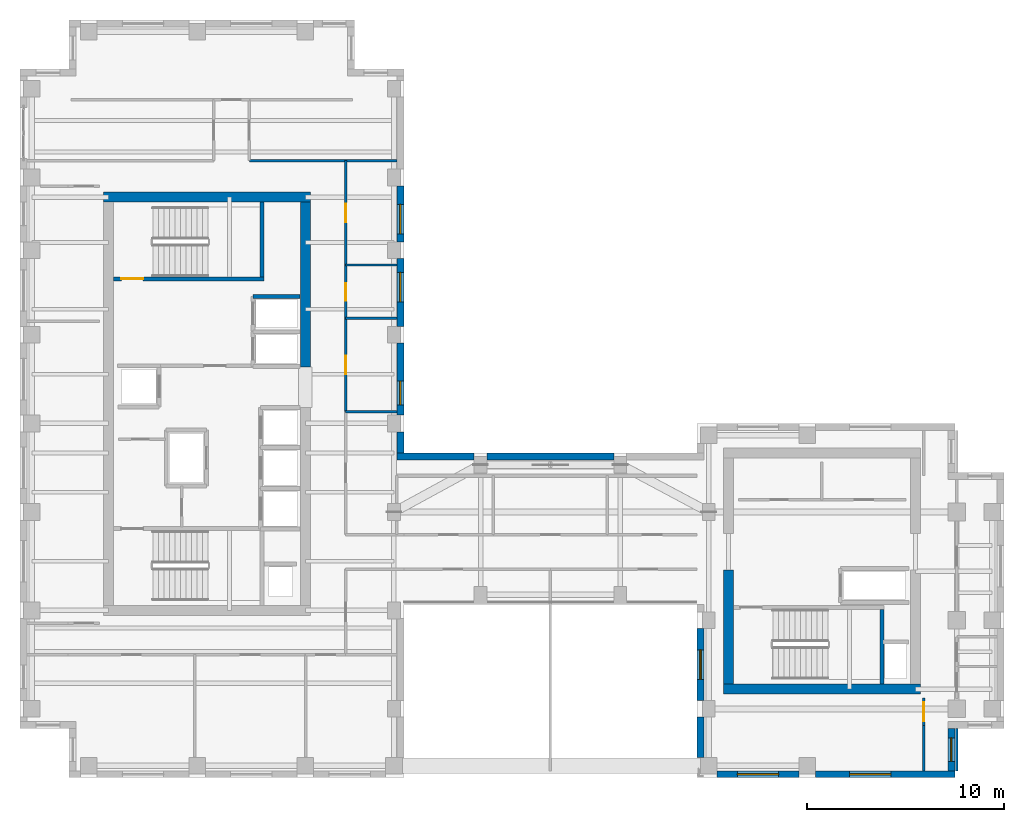
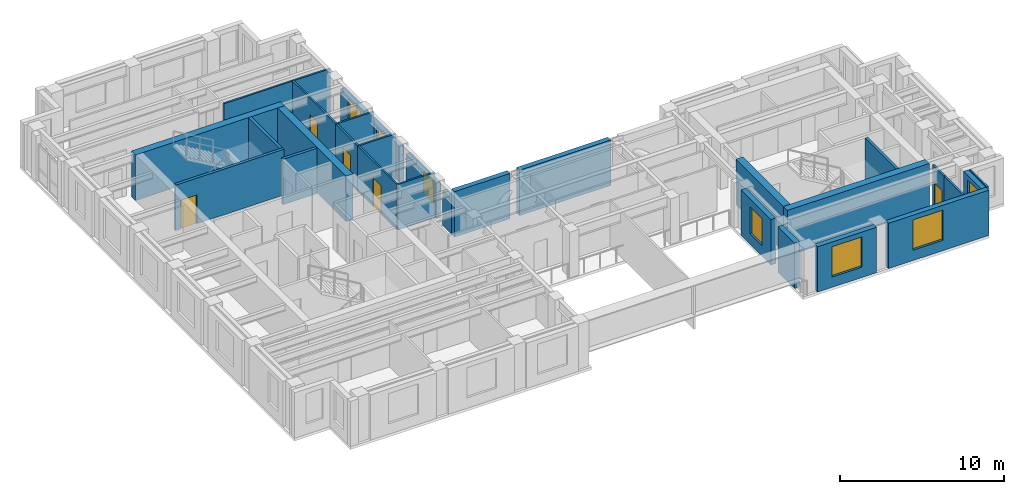
# One storey, part 8 of 12: 29 walls, 7 windows, 5 doors, 12 openings.
"""IFC4 building model written with IfcOpenShell, lengths in metres."""

import ifcopenshell
import ifcopenshell.guid

model = None  # the IFC model being written
_history = None  # IfcOwnerHistory: only IFC2X3 demands one
_inside = {}  # id of a spatial element -> (the spatial element, [elements in it])
_under = {}  # id of a project, library or spatial element -> (it, [spatial elements below it])
_declared = {}  # id of a project -> (the project, [libraries it declares])
_typed = {}  # id of a type object -> (the type object, [elements of that type])
_made_of = {}  # id of a material, layer set ... -> (it, [elements and type objects made of it])


def new_model(schema):
    """Start an empty IFC model of exactly this schema.

    Asked for "IFC4X3", IfcOpenShell would pick the latest addendum, in which some entities
    have other attributes; the version numbers below select the first issue.
    IFC2X3 requires an IfcOwnerHistory on every rooted entity: one is made here for all.
    """
    global model, _history
    if schema == "IFC4X3":
        model = ifcopenshell.file(schema_version=(4, 3, 0, 0))
    else:
        model = ifcopenshell.file(schema=schema)
    _inside.clear()
    _under.clear()
    _declared.clear()
    _typed.clear()
    _made_of.clear()
    _history = None
    if model.schema == "IFC2X3":
        org = make("IfcOrganization", Name="unknown")
        user = make(
            "IfcPersonAndOrganization",
            ThePerson=make("IfcPerson", FamilyName="unknown"),
            TheOrganization=org,
        )
        app = make(
            "IfcApplication",
            ApplicationDeveloper=org,
            Version="unknown",
            ApplicationFullName="unknown",
            ApplicationIdentifier="unknown",
        )
        _history = make(
            "IfcOwnerHistory",
            OwningUser=user,
            OwningApplication=app,
            ChangeAction="ADDED",
            CreationDate=0,
        )
    return model


def make(cls, **values):
    """One entity of the class cls with the attributes given. An attribute that is None is left unset."""
    return model.create_entity(
        cls, **{name: value for name, value in values.items() if value is not None}
    )


def rooted(cls, **values):
    """An entity with a GlobalId (a new one), such as an element, a storey or a relation."""
    return make(cls, GlobalId=ifcopenshell.guid.new(), OwnerHistory=_history, **values)


def si_unit(unit_type, name, prefix=None):
    """IfcSIUnit, for example si_unit("LENGTHUNIT", "METRE", prefix="MILLI")."""
    return make("IfcSIUnit", UnitType=unit_type, Prefix=prefix, Name=name)


def assignment(units):
    """IfcUnitAssignment: the units of a project."""
    return None if units is None else make("IfcUnitAssignment", Units=units)


def point(xyz):
    """IfcCartesianPoint."""
    return None if xyz is None else make("IfcCartesianPoint", Coordinates=xyz)


def direction(xyz):
    """IfcDirection."""
    return None if xyz is None else make("IfcDirection", DirectionRatios=xyz)


def frame(location, z_axis=None, x_axis=None):
    """IfcAxis2Placement3D, a coordinate frame: its origin and axes. An axis left out is left unset."""
    return make(
        "IfcAxis2Placement3D",
        Location=point(location),
        Axis=direction(z_axis),
        RefDirection=direction(x_axis),
    )


def frame_2d(location, x_axis=None):
    """IfcAxis2Placement2D, a coordinate frame in the plane: its origin and x axis."""
    return make(
        "IfcAxis2Placement2D", Location=point(location), RefDirection=direction(x_axis)
    )


def origin():
    """The frame at (0, 0, 0) with its axes left unset."""
    return frame((0.0, 0.0, 0.0))


def place(relative_to, where):
    """IfcLocalPlacement: puts the frame where relative to a parent placement (None: the world)."""
    return make(
        "IfcLocalPlacement", PlacementRelTo=relative_to, RelativePlacement=where
    )


def context(
    kind, dimensions, precision=None, world=None, true_north=None, identifier=None
):
    """IfcGeometricRepresentationContext, for example the 3D "Model" context."""
    return make(
        "IfcGeometricRepresentationContext",
        ContextIdentifier=identifier,
        ContextType=kind,
        CoordinateSpaceDimension=dimensions,
        Precision=precision,
        WorldCoordinateSystem=world,
        TrueNorth=true_north,
    )


def subcontext(parent, identifier, kind, view, scale=None):
    """IfcGeometricRepresentationSubContext, for example "Body" below "Model"."""
    return make(
        "IfcGeometricRepresentationSubContext",
        ContextIdentifier=identifier,
        ContextType=kind,
        ParentContext=parent,
        TargetScale=scale,
        TargetView=view,
    )


def project(units=None, contexts=None):
    """IfcProject with its units and contexts."""
    return rooted(
        "IfcProject",
        Name="project",
        RepresentationContexts=contexts,
        UnitsInContext=assignment(units),
    )


def spatial(cls, under=None, at=None, **own):
    """A site, building, storey or space (cls), placed at a placement, below another one or the project."""
    s = rooted(cls, ObjectPlacement=at, **own)
    if under is not None:
        _under.setdefault(under.id(), (under, []))[1].append(s)
    return s


def profile(cls, at=None, kind="AREA", **sizes):
    """A parametric profile (cls). Its sizes go by their IFC names, for example OverallWidth=200.0."""
    return make(cls, ProfileType=kind, Position=at, **sizes)


def rectangle(**sizes):
    """IfcRectangleProfileDef."""
    return profile("IfcRectangleProfileDef", **sizes)


def extrude(swept, where, along, depth):
    """IfcExtrudedAreaSolid: the profile swept, set in the frame where, extruded along a direction by depth."""
    return make(
        "IfcExtrudedAreaSolid",
        SweptArea=swept,
        Position=where,
        ExtrudedDirection=direction(along),
        Depth=depth,
    )


def shape(context_of_items, identifier, shape_type, items):
    """IfcShapeRepresentation: the items that make up one representation, for example the "Body"."""
    return make(
        "IfcShapeRepresentation",
        ContextOfItems=context_of_items,
        RepresentationIdentifier=identifier,
        RepresentationType=shape_type,
        Items=items,
    )


def source(mapping_origin, context_of_items, identifier, shape_type, items):
    """IfcRepresentationMap: a shape defined once, which mapped items show again and again."""
    return make(
        "IfcRepresentationMap",
        MappingOrigin=mapping_origin,
        MappedRepresentation=shape(context_of_items, identifier, shape_type, items),
    )


def transform(
    local_origin,
    x_axis=None,
    y_axis=None,
    z_axis=None,
    scale=None,
    scale2=None,
    scale3=None,
    uniform=True,
):
    """IfcCartesianTransformationOperator3D, or its non-uniform kind. x_axis, y_axis, z_axis: its Axis1, 2, 3."""
    if uniform:
        return make(
            "IfcCartesianTransformationOperator3D",
            Axis1=direction(x_axis),
            Axis2=direction(y_axis),
            LocalOrigin=point(local_origin),
            Scale=scale,
            Axis3=direction(z_axis),
        )
    return make(
        "IfcCartesianTransformationOperator3DnonUniform",
        Axis1=direction(x_axis),
        Axis2=direction(y_axis),
        LocalOrigin=point(local_origin),
        Scale=scale,
        Axis3=direction(z_axis),
        Scale2=scale2,
        Scale3=scale3,
    )


def mapped(mapping_source, mapping_target):
    """IfcMappedItem: shows the shape of a source again, moved by a transform."""
    return make(
        "IfcMappedItem", MappingSource=mapping_source, MappingTarget=mapping_target
    )


def material(Name=None, Category=None):
    """IfcMaterial."""
    return make("IfcMaterial", Name=Name, Category=Category)


def layer(
    of_material, thickness, ventilated=None, Name=None, Category=None, Priority=None
):
    """IfcMaterialLayer: one layer of a wall or slab, of a material (None: an air gap)."""
    return make(
        "IfcMaterialLayer",
        Material=of_material,
        LayerThickness=thickness,
        IsVentilated=ventilated,
        Name=Name,
        Category=Category,
        Priority=Priority,
    )


def layer_set(layers, Name=None):
    """IfcMaterialLayerSet."""
    return make("IfcMaterialLayerSet", MaterialLayers=layers, LayerSetName=Name)


def made_of(thing, what):
    """Note that an element or type object is made of a material, layer set ...; save() writes the relation."""
    if what is not None:
        _made_of.setdefault(what.id(), (what, []))[1].append(thing)
    return thing


def type_object(cls, material=None, **own):
    """A type object (cls), such as IfcWallType, which elements share."""
    return made_of(rooted(cls, **own), material)


def element(
    cls,
    number,
    at=None,
    inside=None,
    cuts=None,
    type_object=None,
    material=None,
    context=None,
    identifier="Body",
    shape_type=None,
    held_by="IfcProductDefinitionShape",
    body=None,
    shapes=None,
    **own,
):
    """One element of the class cls, such as IfcWall. Its Tag is "e" and its number.

    at: its placement. inside: the storey or other place that contains it. cuts: it is an
    opening in that element (IfcRelVoidsElement). A single representation is given by context,
    identifier, shape_type and body (its items); several are given by shapes. held_by: the class
    of the entity that holds the representations. save() writes the other relations.
    """
    e = rooted(cls, Tag="e%d" % number, ObjectPlacement=at, **own)
    if body is not None:
        shapes = [shape(context, identifier, shape_type, body)]
    if shapes is not None:
        e.Representation = make(held_by, Representations=shapes)
    if inside is not None:
        _inside.setdefault(inside.id(), (inside, []))[1].append(e)
    if cuts is not None:
        rooted(
            "IfcRelVoidsElement", RelatingBuildingElement=cuts, RelatedOpeningElement=e
        )
    if type_object is not None:
        _typed.setdefault(type_object.id(), (type_object, []))[1].append(e)
    return made_of(e, material)


def fill(opening, filler):
    """IfcRelFillsElement: the door or window that sits in an opening."""
    return rooted(
        "IfcRelFillsElement",
        RelatingOpeningElement=opening,
        RelatedBuildingElement=filler,
    )


def aggregate(whole, parts):
    """IfcRelAggregates: a whole, such as a stair, and the parts it consists of."""
    return rooted("IfcRelAggregates", RelatingObject=whole, RelatedObjects=parts)


def save(model, path):
    """Write the relations noted so far, then the file.

    IfcRelAggregates (storeys below a building ...), IfcRelContainedInSpatialStructure (elements
    in a storey), IfcRelDefinesByType, IfcRelAssociatesMaterial and IfcRelDeclares: one each for
    every whole, place, type object, material and project.
    """
    for whole, parts in _under.values():
        aggregate(whole, parts)
    for where, things in _inside.values():
        rooted(
            "IfcRelContainedInSpatialStructure",
            RelatedElements=things,
            RelatingStructure=where,
        )
    for kind, things in _typed.values():
        rooted("IfcRelDefinesByType", RelatedObjects=things, RelatingType=kind)
    for what, things in _made_of.values():
        rooted("IfcRelAssociatesMaterial", RelatedObjects=things, RelatingMaterial=what)
    for by, libraries in _declared.values():
        rooted("IfcRelDeclares", RelatingContext=by, RelatedDefinitions=libraries)
    model.write(path)


model = new_model("IFC4")

# Units and contexts
model_context = context("Model", 3, precision=1e-05, world=origin(), true_north=direction((0.0, 1.0)))
body_context = subcontext(model_context, "Body", "Model", "MODEL_VIEW")
ifc_project = project(units=[si_unit("LENGTHUNIT", "METRE"), si_unit("AREAUNIT", "SQUARE_METRE"), si_unit("VOLUMEUNIT", "CUBIC_METRE"), si_unit("PLANEANGLEUNIT", "RADIAN"), si_unit("MASSUNIT", "GRAM", prefix="KILO")], contexts=[model_context])

# Site, building, storey
site_placement = place(None, origin())
site = spatial("IfcSite", under=ifc_project, at=site_placement, CompositionType="ELEMENT")
building_placement = place(site_placement, origin())
building = spatial("IfcBuilding", under=site, at=building_placement, Name="Kharzan Plaza Tower", CompositionType="ELEMENT")
storey_placement = place(building_placement, frame((0.0, 0.0, 248.39990234375)))
storey = spatial("IfcBuildingStorey", under=building, at=storey_placement, Name="L67", CompositionType="ELEMENT", Elevation=248.39990234375)

# Wall, opening, window
ifc_material_1 = material(Name="Concrete C40/50", Category="concrete")
ifc_layer_1 = layer(ifc_material_1, 0.35009765625)
ifc_layer_set_1 = layer_set([ifc_layer_1], Name="Concrete C40/50")
wall_type_1 = type_object("IfcWallType", Name="WL-EXT-MAS-Z4", PredefinedType="SOLIDWALL", material=ifc_layer_set_1)
wall_1_placement = place(storey_placement, frame((19.324951171875, 18.423095703125, 0.0), z_axis=(0.0, 0.0, 1.0), x_axis=(0.0, 1.0, 0.0)))
wall_1 = element("IfcWall", 1, at=wall_1_placement, inside=storey, type_object=wall_type_1, Name="L67 Masonry-Frame Exterior Wall 02", PredefinedType="SOLIDWALL", context=body_context, shape_type="SweptSolid", body=[
    extrude(rectangle(XDim=3.65380859375, YDim=0.35009765625, at=frame_2d((1.826904296875, 0.0))), origin(), (0.0, 0.0, 1.0), 2.619140625),
])
opening_1_placement = place(wall_1_placement, frame((0.5234375, 0.0, 0.780029296875)))
opening_1 = element("IfcOpeningElement", 2, at=opening_1_placement, cuts=wall_1, Name="Opening W3", PredefinedType="OPENING", context=body_context, shape_type="SweptSolid", body=[
    extrude(rectangle(XDim=1.199951171875, YDim=1.658935546875, at=frame_2d((0.60009765625, 0.82958984375))), frame((0.0, 0.18505859375, 0.0), z_axis=(0.0, -1.0, 0.0), x_axis=(1.0, 0.0, 0.0)), (0.0, 0.0, 1.0), 0.3701171875),
])
ifc_material_2 = material(Name="Low-E Double Glazing", Category="glass")
window_type_1 = type_object("IfcWindowType", Name="WN-REC-1200x2100", PartitioningType="SINGLE_PANEL", PredefinedType="WINDOW", material=ifc_material_2)
shared_shape_1 = source(origin(), body_context, "Body", "SweptSolid", [
    extrude(rectangle(XDim=1.199951171875, YDim=1.658935546875, at=frame_2d((0.60009765625, 0.82958984375))), frame((0.0, 0.030029296875, 0.0), z_axis=(0.0, -1.0, 0.0), x_axis=(1.0, 0.0, 0.0)), (0.0, 0.0, 1.0), 0.06005859375),
])
window_1_placement = place(opening_1_placement, origin())
window_1 = element("IfcWindow", 3, at=window_1_placement, inside=storey, type_object=window_type_1, Name="L67 Recessed Solar-Control Window 02-1", OverallHeight=1.658935546875, OverallWidth=1.199951171875, PartitioningType="SINGLE_PANEL", PredefinedType="WINDOW", context=body_context, shape_type="MappedRepresentation", body=[
    mapped(shared_shape_1, transform((0.0, 0.0, 0.0), x_axis=(1.0, 0.0, 0.0), y_axis=(0.0, 1.0, 0.0), z_axis=(0.0, 0.0, 1.0))),
])
fill(opening_1, window_1)

wall_2_placement = place(storey_placement, frame((19.324951171875, 22.923095703125, 0.0), z_axis=(0.0, 0.0, 1.0), x_axis=(0.0, 1.0, 0.0)))
wall_2 = element("IfcWall", 4, at=wall_2_placement, inside=storey, type_object=wall_type_1, Name="L67 Masonry-Frame Exterior Wall 03", PredefinedType="SOLIDWALL", context=body_context, shape_type="SweptSolid", body=[
    extrude(rectangle(XDim=3.453857421875, YDim=0.35009765625, at=frame_2d((1.72705078125, 0.0))), origin(), (0.0, 0.0, 1.0), 2.619140625),
])
opening_2_placement = place(wall_2_placement, frame((1.255615234375, 0.0, 0.780029296875)))
opening_2 = element("IfcOpeningElement", 5, at=opening_2_placement, cuts=wall_2, Name="Opening W5", PredefinedType="OPENING", context=body_context, shape_type="SweptSolid", body=[
    extrude(rectangle(XDim=1.5, YDim=1.658935546875, at=frame_2d((0.75, 0.82958984375))), frame((0.0, 0.18505859375, 0.0), z_axis=(0.0, -1.0, 0.0), x_axis=(1.0, 0.0, 0.0)), (0.0, 0.0, 1.0), 0.3701171875),
])
window_type_2 = type_object("IfcWindowType", Name="WN-SLT-1500x2000", PartitioningType="SINGLE_PANEL", PredefinedType="WINDOW", material=ifc_material_2)
shared_shape_2 = source(origin(), body_context, "Body", "SweptSolid", [
    extrude(rectangle(XDim=1.5, YDim=1.658935546875, at=frame_2d((0.75, 0.82958984375))), frame((0.0, 0.030029296875, 0.0), z_axis=(0.0, -1.0, 0.0), x_axis=(1.0, 0.0, 0.0)), (0.0, 0.0, 1.0), 0.06005859375),
])
window_2_placement = place(opening_2_placement, origin())
window_2 = element("IfcWindow", 6, at=window_2_placement, inside=storey, type_object=window_type_2, Name="L67 Recessed Solar-Control Window 03-1", OverallHeight=1.658935546875, OverallWidth=1.5, PartitioningType="SINGLE_PANEL", PredefinedType="WINDOW", context=body_context, shape_type="MappedRepresentation", body=[
    mapped(shared_shape_2, transform((0.0, 0.0, 0.0), x_axis=(1.0, 0.0, 0.0), y_axis=(0.0, 1.0, 0.0), z_axis=(0.0, 0.0, 1.0))),
])
fill(opening_2, window_2)

wall_3_placement = place(storey_placement, frame((19.324951171875, 27.222900390625, 0.0), z_axis=(0.0, 0.0, 1.0), x_axis=(0.0, 1.0, 0.0)))
wall_3 = element("IfcWall", 7, at=wall_3_placement, inside=storey, type_object=wall_type_1, Name="L67 Masonry-Frame Exterior Wall 04", PredefinedType="SOLIDWALL", context=body_context, shape_type="SweptSolid", body=[
    extrude(rectangle(XDim=2.85400390625, YDim=0.35009765625, at=frame_2d((1.427001953125, 0.0))), origin(), (0.0, 0.0, 1.0), 2.619140625),
])
opening_3_placement = place(wall_3_placement, frame((0.411376953125, 0.0, 0.780029296875)))
opening_3 = element("IfcOpeningElement", 8, at=opening_3_placement, cuts=wall_3, Name="Opening W5", PredefinedType="OPENING", context=body_context, shape_type="SweptSolid", body=[
    extrude(rectangle(XDim=1.5, YDim=1.658935546875, at=frame_2d((0.75, 0.82958984375))), frame((0.0, 0.18505859375, 0.0), z_axis=(0.0, -1.0, 0.0), x_axis=(1.0, 0.0, 0.0)), (0.0, 0.0, 1.0), 0.3701171875),
])
window_3_placement = place(opening_3_placement, origin())
window_3 = element("IfcWindow", 9, at=window_3_placement, inside=storey, type_object=window_type_2, Name="L67 Recessed Solar-Control Window 04-1", OverallHeight=1.658935546875, OverallWidth=1.5, PartitioningType="SINGLE_PANEL", PredefinedType="WINDOW", context=body_context, shape_type="MappedRepresentation", body=[
    mapped(shared_shape_2, transform((0.0, 0.0, 0.0), x_axis=(1.0, 0.0, 0.0), y_axis=(0.0, 1.0, 0.0), z_axis=(0.0, 0.0, 1.0))),
])
fill(opening_3, window_3)

wall_4_placement = place(storey_placement, frame((34.574951171875, 7.576904296875, 0.0), z_axis=(0.0, 0.0, 1.0), x_axis=(0.0, -1.0, 0.0)))
wall_4 = element("IfcWall", 10, at=wall_4_placement, inside=storey, type_object=wall_type_1, Name="L67 Masonry-Frame Exterior Wall 34", PredefinedType="SOLIDWALL", context=body_context, shape_type="SweptSolid", body=[
    extrude(rectangle(XDim=3.65380859375, YDim=0.35009765625, at=frame_2d((1.826904296875, 0.0))), origin(), (0.0, 0.0, 1.0), 3.385009765625),
])
opening_4_placement = place(wall_4_placement, frame((1.076904296875, 0.0, 0.780029296875)))
opening_4 = element("IfcOpeningElement", 11, at=opening_4_placement, cuts=wall_4, Name="Opening W5", PredefinedType="OPENING", context=body_context, shape_type="SweptSolid", body=[
    extrude(rectangle(XDim=1.5, YDim=2.0, at=frame_2d((0.75, 1.0))), frame((0.0, 0.18505859375, 0.0), z_axis=(0.0, -1.0, 0.0), x_axis=(1.0, 0.0, 0.0)), (0.0, 0.0, 1.0), 0.3701171875),
])
shared_shape_3 = source(origin(), body_context, "Body", "SweptSolid", [
    extrude(rectangle(XDim=1.5, YDim=2.0, at=frame_2d((0.75, 1.0))), frame((0.0, 0.030029296875, 0.0), z_axis=(0.0, -1.0, 0.0), x_axis=(1.0, 0.0, 0.0)), (0.0, 0.0, 1.0), 0.06005859375),
])
window_4_placement = place(opening_4_placement, origin())
window_4 = element("IfcWindow", 12, at=window_4_placement, inside=storey, type_object=window_type_2, Name="L67 Recessed Solar-Control Window 34-1", OverallHeight=2.0, OverallWidth=1.5, PartitioningType="SINGLE_PANEL", PredefinedType="WINDOW", context=body_context, shape_type="MappedRepresentation", body=[
    mapped(shared_shape_3, transform((0.0, 0.0, 0.0), x_axis=(1.0, 0.0, 0.0), y_axis=(0.0, 1.0, 0.0), z_axis=(0.0, 0.0, 1.0))),
])
fill(opening_4, window_4)

wall_5_placement = place(storey_placement, frame((35.423095703125, 0.175048828125, 0.0), z_axis=(0.0, 0.0, 1.0), x_axis=(1.0, 0.0, 0.0)))
wall_5 = element("IfcWall", 13, at=wall_5_placement, inside=storey, type_object=wall_type_1, Name="L67 Masonry-Frame Exterior Wall 36", PredefinedType="SOLIDWALL", context=body_context, shape_type="SweptSolid", body=[
    extrude(rectangle(XDim=4.15380859375, YDim=0.35009765625, at=frame_2d((2.076904296875, 0.0))), origin(), (0.0, 0.0, 1.0), 3.385009765625),
])
opening_5_placement = place(wall_5_placement, frame((1.027099609375, 0.0, 0.780029296875)))
opening_5 = element("IfcOpeningElement", 14, at=opening_5_placement, cuts=wall_5, Name="Opening W6", PredefinedType="OPENING", context=body_context, shape_type="SweptSolid", body=[
    extrude(rectangle(XDim=2.10009765625, YDim=2.25, at=frame_2d((1.050048828125, 1.125))), frame((0.0, 0.18505859375, 0.0), z_axis=(0.0, -1.0, 0.0), x_axis=(1.0, 0.0, 0.0)), (0.0, 0.0, 1.0), 0.3701171875),
])
window_type_3 = type_object("IfcWindowType", Name="WN-EXEC-2100x2250", PartitioningType="SINGLE_PANEL", PredefinedType="WINDOW", material=ifc_material_2)
shared_shape_4 = source(origin(), body_context, "Body", "SweptSolid", [
    extrude(rectangle(XDim=2.10009765625, YDim=2.25, at=frame_2d((1.050048828125, 1.125))), frame((0.0, 0.030029296875, 0.0), z_axis=(0.0, -1.0, 0.0), x_axis=(1.0, 0.0, 0.0)), (0.0, 0.0, 1.0), 0.06005859375),
])
window_5_placement = place(opening_5_placement, origin())
window_5 = element("IfcWindow", 15, at=window_5_placement, inside=storey, type_object=window_type_3, Name="L67 Recessed Solar-Control Window 36-1", OverallHeight=2.25, OverallWidth=2.10009765625, PartitioningType="SINGLE_PANEL", PredefinedType="WINDOW", context=body_context, shape_type="MappedRepresentation", body=[
    mapped(shared_shape_4, transform((0.0, 0.0, 0.0), x_axis=(1.0, 0.0, 0.0), y_axis=(0.0, 1.0, 0.0), z_axis=(0.0, 0.0, 1.0))),
])
fill(opening_5, window_5)

wall_6_placement = place(storey_placement, frame((40.423095703125, 0.175048828125, 0.0), z_axis=(0.0, 0.0, 1.0), x_axis=(1.0, 0.0, 0.0)))
wall_6 = element("IfcWall", 16, at=wall_6_placement, inside=storey, type_object=wall_type_1, Name="L67 Masonry-Frame Exterior Wall 37", PredefinedType="SOLIDWALL", context=body_context, shape_type="SweptSolid", body=[
    extrude(rectangle(XDim=7.076904296875, YDim=0.35009765625, at=frame_2d((3.53857421875, 0.0))), origin(), (0.0, 0.0, 1.0), 3.385009765625),
])
opening_6_placement = place(wall_6_placement, frame((1.7333984375, 0.0, 0.780029296875)))
opening_6 = element("IfcOpeningElement", 17, at=opening_6_placement, cuts=wall_6, Name="Opening W6", PredefinedType="OPENING", context=body_context, shape_type="SweptSolid", body=[
    extrude(rectangle(XDim=2.10009765625, YDim=2.25, at=frame_2d((1.050048828125, 1.125))), frame((0.0, 0.18505859375, 0.0), z_axis=(0.0, -1.0, 0.0), x_axis=(1.0, 0.0, 0.0)), (0.0, 0.0, 1.0), 0.3701171875),
])
window_6_placement = place(opening_6_placement, origin())
window_6 = element("IfcWindow", 18, at=window_6_placement, inside=storey, type_object=window_type_3, Name="L67 Recessed Solar-Control Window 37-1", OverallHeight=2.25, OverallWidth=2.10009765625, PartitioningType="SINGLE_PANEL", PredefinedType="WINDOW", context=body_context, shape_type="MappedRepresentation", body=[
    mapped(shared_shape_4, transform((0.0, 0.0, 0.0), x_axis=(1.0, 0.0, 0.0), y_axis=(0.0, 1.0, 0.0), z_axis=(0.0, 0.0, 1.0))),
])
fill(opening_6, window_6)

wall_7_placement = place(storey_placement, frame((47.324951171875, 0.347900390625, 0.0), z_axis=(0.0, 0.0, 1.0), x_axis=(0.0, 1.0, 0.0)))
wall_7 = element("IfcWall", 19, at=wall_7_placement, inside=storey, type_object=wall_type_1, Name="L67 Masonry-Frame Exterior Wall 38", PredefinedType="SOLIDWALL", context=body_context, shape_type="SweptSolid", body=[
    extrude(rectangle(XDim=2.154052734375, YDim=0.35009765625, at=frame_2d((1.0771484375, 0.0))), origin(), (0.0, 0.0, 1.0), 3.385009765625),
])
opening_7_placement = place(wall_7_placement, frame((0.47705078125, 0.0, 0.780029296875)))
opening_7 = element("IfcOpeningElement", 20, at=opening_7_placement, cuts=wall_7, Name="Opening W3", PredefinedType="OPENING", context=body_context, shape_type="SweptSolid", body=[
    extrude(rectangle(XDim=1.199951171875, YDim=2.25, at=frame_2d((0.60009765625, 1.125))), frame((0.0, 0.18505859375, 0.0), z_axis=(0.0, -1.0, 0.0), x_axis=(1.0, 0.0, 0.0)), (0.0, 0.0, 1.0), 0.3701171875),
])
shared_shape_5 = source(origin(), body_context, "Body", "SweptSolid", [
    extrude(rectangle(XDim=1.199951171875, YDim=2.25, at=frame_2d((0.60009765625, 1.125))), frame((0.0, 0.030029296875, 0.0), z_axis=(0.0, -1.0, 0.0), x_axis=(1.0, 0.0, 0.0)), (0.0, 0.0, 1.0), 0.06005859375),
])
window_7_placement = place(opening_7_placement, origin())
window_7 = element("IfcWindow", 21, at=window_7_placement, inside=storey, type_object=window_type_1, Name="L67 Recessed Solar-Control Window 38-1", OverallHeight=2.25, OverallWidth=1.199951171875, PartitioningType="SINGLE_PANEL", PredefinedType="WINDOW", context=body_context, shape_type="MappedRepresentation", body=[
    mapped(shared_shape_5, transform((0.0, 0.0, 0.0), x_axis=(1.0, 0.0, 0.0), y_axis=(0.0, 1.0, 0.0), z_axis=(0.0, 0.0, 1.0))),
])
fill(opening_7, window_7)

# Wall, opening, door
ifc_material_3 = material(Name="Fire-Rated Gypsum Board Partition", Category="gypsum")
ifc_layer_2 = layer(ifc_material_3, 0.125)
ifc_layer_set_2 = layer_set([ifc_layer_2], Name="Fire-Rated Gypsum Board Partition")
wall_type_2 = type_object("IfcWallType", Name="WL-INT-PART-125", PredefinedType="PARTITIONING", material=ifc_layer_set_2)
wall_8_placement = place(storey_placement, frame((16.550048828125, 18.60009765625, 0.0), z_axis=(0.0, 0.0, 1.0), x_axis=(0.0, 1.0, 0.0)))
wall_8 = element("IfcWall", 22, at=wall_8_placement, inside=storey, type_object=wall_type_2, Name="L67 Interior Partition SH-AEWN2", PredefinedType="PARTITIONING", context=body_context, shape_type="SweptSolid", body=[
    extrude(rectangle(XDim=4.75, YDim=0.125, at=frame_2d((2.375, 0.0))), origin(), (0.0, 0.0, 1.0), 3.385009765625),
])
opening_8_placement = place(wall_8_placement, frame((1.89990234375, 0.0, 0.0)))
opening_8 = element("IfcOpeningElement", 23, at=opening_8_placement, cuts=wall_8, Name="Opening OD1", PredefinedType="OPENING", context=body_context, shape_type="SweptSolid", body=[
    extrude(rectangle(XDim=0.949951171875, YDim=2.14990234375, at=frame_2d((0.47509765625, 1.074951171875))), frame((0.0, 0.072509765625, 0.0), z_axis=(0.0, -1.0, 0.0), x_axis=(1.0, 0.0, 0.0)), (0.0, 0.0, 1.0), 0.14501953125),
])
ifc_material_4 = material(Name="Acoustic Solid-Core Stained Oak", Category="timber")
door_type_1 = type_object("IfcDoorType", Name="DR-OFF-SINGLE", OperationType="NOTDEFINED", PredefinedType="DOOR", material=ifc_material_4)
shared_shape_6 = source(origin(), body_context, "Body", "SweptSolid", [
    extrude(rectangle(XDim=0.949951171875, YDim=2.14990234375, at=frame_2d((0.47509765625, 1.074951171875))), frame((0.0, 0.02490234375, 0.0), z_axis=(0.0, -1.0, 0.0), x_axis=(1.0, 0.0, 0.0)), (0.0, 0.0, 1.0), 0.050048828125),
])
door_1_placement = place(opening_8_placement, origin())
door_1 = element("IfcDoor", 24, at=door_1_placement, inside=storey, type_object=door_type_1, Name="L67 Slot Studio Door", OperationType="SINGLE_SWING_RIGHT", OverallHeight=2.14990234375, OverallWidth=0.949951171875, PredefinedType="DOOR", context=body_context, shape_type="MappedRepresentation", body=[
    mapped(shared_shape_6, transform((0.0, 0.0, 0.0), x_axis=(1.0, 0.0, 0.0), y_axis=(0.0, 1.0, 0.0), z_axis=(0.0, 0.0, 1.0))),
])
fill(opening_8, door_1)

wall_9_placement = place(storey_placement, frame((16.550048828125, 26.050048828125, 0.0), z_axis=(0.0, 0.0, 1.0), x_axis=(0.0, 1.0, 0.0)))
wall_9 = element("IfcWall", 25, at=wall_9_placement, inside=storey, type_object=wall_type_2, Name="L67 Interior Partition SH-AEWN3", PredefinedType="PARTITIONING", context=body_context, shape_type="SweptSolid", body=[
    extrude(rectangle(XDim=5.300048828125, YDim=0.125, at=frame_2d((2.64990234375, 0.0))), origin(), (0.0, 0.0, 1.0), 3.385009765625),
])
opening_9_placement = place(wall_9_placement, frame((2.175048828125, 0.0, 0.0)))
opening_9 = element("IfcOpeningElement", 26, at=opening_9_placement, cuts=wall_9, Name="Opening OD1", PredefinedType="OPENING", context=body_context, shape_type="SweptSolid", body=[
    extrude(rectangle(XDim=0.949951171875, YDim=2.14990234375, at=frame_2d((0.47509765625, 1.074951171875))), frame((0.0, 0.072509765625, 0.0), z_axis=(0.0, -1.0, 0.0), x_axis=(1.0, 0.0, 0.0)), (0.0, 0.0, 1.0), 0.14501953125),
])
door_2_placement = place(opening_9_placement, origin())
door_2 = element("IfcDoor", 27, at=door_2_placement, inside=storey, type_object=door_type_1, Name="L67 Staff Tea Point Door", OperationType="SINGLE_SWING_RIGHT", OverallHeight=2.14990234375, OverallWidth=0.949951171875, PredefinedType="DOOR", context=body_context, shape_type="MappedRepresentation", body=[
    mapped(shared_shape_6, transform((0.0, 0.0, 0.0), x_axis=(1.0, 0.0, 0.0), y_axis=(0.0, 1.0, 0.0), z_axis=(0.0, 0.0, 1.0))),
])
fill(opening_9, door_2)

wall_10_placement = place(storey_placement, frame((16.550048828125, 23.35009765625, 0.0), z_axis=(0.0, 0.0, 1.0), x_axis=(0.0, 1.0, 0.0)))
wall_10 = element("IfcWall", 28, at=wall_10_placement, inside=storey, type_object=wall_type_2, Name="L67 Interior Partition SH-AEWW", PredefinedType="PARTITIONING", context=body_context, shape_type="SweptSolid", body=[
    extrude(rectangle(XDim=2.699951171875, YDim=0.125, at=frame_2d((1.35009765625, 0.0))), origin(), (0.0, 0.0, 1.0), 3.385009765625),
])
opening_10_placement = place(wall_10_placement, frame((0.875, 0.0, 0.0)))
opening_10 = element("IfcOpeningElement", 29, at=opening_10_placement, cuts=wall_10, Name="Opening WD1", PredefinedType="OPENING", context=body_context, shape_type="SweptSolid", body=[
    extrude(rectangle(XDim=0.89990234375, YDim=2.14990234375, at=frame_2d((0.449951171875, 1.074951171875))), frame((0.0, 0.072509765625, 0.0), z_axis=(0.0, -1.0, 0.0), x_axis=(1.0, 0.0, 0.0)), (0.0, 0.0, 1.0), 0.14501953125),
])
ifc_material_5 = material(Name="Moisture-Resistant Fire-Rated Laminate", Category="timber")
door_type_2 = type_object("IfcDoorType", Name="DR-WC-900", OperationType="NOTDEFINED", PredefinedType="DOOR", material=ifc_material_5)
shared_shape_7 = source(origin(), body_context, "Body", "SweptSolid", [
    extrude(rectangle(XDim=0.89990234375, YDim=2.14990234375, at=frame_2d((0.449951171875, 1.074951171875))), frame((0.0, 0.02490234375, 0.0), z_axis=(0.0, -1.0, 0.0), x_axis=(1.0, 0.0, 0.0)), (0.0, 0.0, 1.0), 0.050048828125),
])
door_3_placement = place(opening_10_placement, origin())
door_3 = element("IfcDoor", 30, at=door_3_placement, inside=storey, type_object=door_type_2, Name="L67 Wing A Washroom Door", OperationType="SINGLE_SWING_LEFT", OverallHeight=2.14990234375, OverallWidth=0.89990234375, PredefinedType="DOOR", context=body_context, shape_type="MappedRepresentation", body=[
    mapped(shared_shape_7, transform((0.0, 0.0, 0.0), x_axis=(1.0, 0.0, 0.0), y_axis=(0.0, 1.0, 0.0), z_axis=(0.0, 0.0, 1.0))),
])
fill(opening_10, door_3)

wall_11_placement = place(storey_placement, frame((45.919921875, 2.64990234375, 0.0), z_axis=(0.0, 0.0, 1.0), x_axis=(0.0, 1.0, 0.0)))
wall_11 = element("IfcWall", 31, at=wall_11_placement, inside=storey, type_object=wall_type_2, Name="L67 Interior Partition SH-RBSE", PredefinedType="PARTITIONING", context=body_context, shape_type="SweptSolid", body=[
    extrude(rectangle(XDim=1.400146484375, YDim=0.125, at=frame_2d((0.7001953125, 0.0))), origin(), (0.0, 0.0, 1.0), 3.385009765625),
])
opening_11_placement = place(wall_11_placement, frame((0.22509765625, 0.0, 0.0)))
opening_11 = element("IfcOpeningElement", 32, at=opening_11_placement, cuts=wall_11, Name="Opening OD1", PredefinedType="OPENING", context=body_context, shape_type="SweptSolid", body=[
    extrude(rectangle(XDim=0.949951171875, YDim=2.14990234375, at=frame_2d((0.47509765625, 1.074951171875))), frame((0.0, 0.072509765625, 0.0), z_axis=(0.0, -1.0, 0.0), x_axis=(1.0, 0.0, 0.0)), (0.0, 0.0, 1.0), 0.14501953125),
])
door_4_placement = place(opening_11_placement, origin())
door_4 = element("IfcDoor", 33, at=door_4_placement, inside=storey, type_object=door_type_1, Name="L67 South-East Corner Office Door", OperationType="SINGLE_SWING_RIGHT", OverallHeight=2.14990234375, OverallWidth=0.949951171875, PredefinedType="DOOR", context=body_context, shape_type="MappedRepresentation", body=[
    mapped(shared_shape_6, transform((0.0, 0.0, 0.0), x_axis=(1.0, 0.0, 0.0), y_axis=(0.0, 1.0, 0.0), z_axis=(0.0, 0.0, 1.0))),
])
fill(opening_11, door_4)

ifc_material_6 = material(Name="Concrete C50/60", Category="concrete")
ifc_layer_3 = layer(ifc_material_6, 0.199951171875)
ifc_layer_set_3 = layer_set([ifc_layer_3], Name="Concrete C50/60")
wall_type_3 = type_object("IfcWallType", Name="WL-SHAFT-RC200", PredefinedType="SHEAR", material=ifc_layer_set_3)
wall_12_placement = place(storey_placement, frame((4.751953125, 25.344970703125, 0.0), z_axis=(0.0, 0.0, 1.0), x_axis=(1.0, 0.0, 0.0)))
wall_12 = element("IfcWall", 34, at=wall_12_placement, inside=storey, type_object=wall_type_3, Name="L67 Stair ST-2 South RC Shaft Wall", PredefinedType="SHEAR", context=body_context, shape_type="SweptSolid", body=[
    extrude(rectangle(XDim=7.653076171875, YDim=0.199951171875, at=frame_2d((3.82666015625, 0.0))), origin(), (0.0, 0.0, 1.0), 3.400146484375),
])
opening_12_placement = place(wall_12_placement, frame((0.39990234375, 0.0, 0.0)))
opening_12 = element("IfcOpeningElement", 35, at=opening_12_placement, cuts=wall_12, Name="Opening SD1", PredefinedType="OPENING", context=body_context, shape_type="SweptSolid", body=[
    extrude(rectangle(XDim=1.10009765625, YDim=2.14990234375, at=frame_2d((0.550048828125, 1.074951171875))), frame((0.0, 0.10986328125, 0.0), z_axis=(0.0, -1.0, 0.0), x_axis=(1.0, 0.0, 0.0)), (0.0, 0.0, 1.0), 0.219970703125),
])
ifc_material_7 = material(Name="Fire-Rated Hollow Galvanized Steel", Category="steel")
door_type_3 = type_object("IfcDoorType", Name="DR-STAIR-FD120", OperationType="NOTDEFINED", PredefinedType="DOOR", material=ifc_material_7)
shared_shape_8 = source(origin(), body_context, "Body", "SweptSolid", [
    extrude(rectangle(XDim=1.10009765625, YDim=2.14990234375, at=frame_2d((0.550048828125, 1.074951171875))), frame((0.0, 0.02490234375, 0.0), z_axis=(0.0, -1.0, 0.0), x_axis=(1.0, 0.0, 0.0)), (0.0, 0.0, 1.0), 0.050048828125),
])
door_5_placement = place(opening_12_placement, origin())
door_5 = element("IfcDoor", 36, at=door_5_placement, inside=storey, type_object=door_type_3, Name="L67 Stair ST-2 Fire Exit Door", OperationType="SINGLE_SWING_LEFT", OverallHeight=2.14990234375, OverallWidth=1.10009765625, PredefinedType="DOOR", context=body_context, shape_type="MappedRepresentation", body=[
    mapped(shared_shape_8, transform((0.0, 0.0, 0.0), x_axis=(1.0, 0.0, 0.0), y_axis=(0.0, 1.0, 0.0), z_axis=(0.0, 0.0, 1.0))),
])
fill(opening_12, door_5)

# Walls
shared_shape_9 = source(origin(), body_context, "Body", "SweptSolid", [
    extrude(rectangle(XDim=2.2978515625, YDim=0.125, at=frame_2d((1.14892578125, 0.0))), origin(), (0.0, 0.0, 1.0), 3.385009765625),
])
wall_13_placement = place(storey_placement, frame((45.919921875, 0.35205078125, 0.0), z_axis=(0.0, 0.0, 1.0), x_axis=(0.0, 1.0, 0.0)))
element("IfcWall", 37, at=wall_13_placement, inside=storey, type_object=wall_type_2, Name="L67 Interior Partition SH-RBSE0", PredefinedType="PARTITIONING", context=body_context, shape_type="MappedRepresentation", body=[
    mapped(shared_shape_9, transform((0.0, 0.0, 0.0), x_axis=(1.0, 0.0, 0.0), y_axis=(0.0, 1.0, 0.0), z_axis=(0.0, 0.0, 1.0))),
])
shared_shape_10 = source(origin(), body_context, "Body", "SweptSolid", [
    extrude(rectangle(XDim=2.597900390625, YDim=0.125, at=frame_2d((1.298828125, 0.0))), origin(), (0.0, 0.0, 1.0), 3.385009765625),
])
for number, where, z_axis, x_axis, name in (
    (38, (16.550048828125, 18.60009765625, 0.0), (0.0, 0.0, 1.0), (1.0, 0.0, 0.0), "L67 Interior Partition SH-AEH-186"),
    (39, (16.550048828125, 23.35009765625, 0.0), (0.0, 0.0, 1.0), (1.0, 0.0, 0.0), "L67 Interior Partition SH-AEH-233"),
    (40, (16.550048828125, 26.050048828125, 0.0), (0.0, 0.0, 1.0), (1.0, 0.0, 0.0), "L67 Interior Partition SH-AEH-260"),
):
    element("IfcWall", number, at=place(storey_placement, frame(where, z_axis=z_axis, x_axis=x_axis)), inside=storey, type_object=wall_type_2, Name=name, PredefinedType="PARTITIONING", context=body_context, shape_type="MappedRepresentation", body=[
        mapped(shared_shape_10, transform((0.0, 0.0, 0.0), x_axis=(1.0, 0.0, 0.0), y_axis=(0.0, 1.0, 0.0), z_axis=(0.0, 0.0, 1.0))),
    ])
shared_shape_11 = source(origin(), body_context, "Body", "SweptSolid", [
    extrude(rectangle(XDim=7.498046875, YDim=0.125, at=frame_2d((3.7490234375, 0.0))), origin(), (0.0, 0.0, 1.0), 3.385009765625),
])
wall_14_placement = place(storey_placement, frame((11.64990234375, 31.35009765625, 0.0), z_axis=(0.0, 0.0, 1.0), x_axis=(1.0, 0.0, 0.0)))
element("IfcWall", 41, at=wall_14_placement, inside=storey, type_object=wall_type_2, Name="L67 Interior Partition SH-NNE", PredefinedType="PARTITIONING", context=body_context, shape_type="MappedRepresentation", body=[
    mapped(shared_shape_11, transform((0.0, 0.0, 0.0), x_axis=(1.0, 0.0, 0.0), y_axis=(0.0, 1.0, 0.0), z_axis=(0.0, 0.0, 1.0))),
])
ifc_layer_4 = layer(ifc_material_6, 0.5)
ifc_layer_set_4 = layer_set([ifc_layer_4], Name="Concrete C50/60")
wall_type_4 = type_object("IfcWallType", Name="WL-CORE-500", PredefinedType="SHEAR", material=ifc_layer_set_4)
shared_shape_12 = source(origin(), body_context, "Body", "SweptSolid", [
    extrude(rectangle(XDim=8.3701171875, YDim=0.5, at=frame_2d((4.18505859375, 0.0))), origin(), (0.0, 0.0, 1.0), 3.400146484375),
])
wall_15_placement = place(storey_placement, frame((14.5, 20.8798828125, 0.0), z_axis=(0.0, 0.0, 1.0), x_axis=(0.0, 1.0, 0.0)))
element("IfcWall", 42, at=wall_15_placement, inside=storey, type_object=wall_type_4, Name="L67 CORE-A east shear pier 2", PredefinedType="SHEAR", context=body_context, shape_type="MappedRepresentation", body=[
    mapped(shared_shape_12, transform((0.0, 0.0, 0.0), x_axis=(1.0, 0.0, 0.0), y_axis=(0.0, 1.0, 0.0), z_axis=(0.0, 0.0, 1.0))),
])
shared_shape_13 = source(origin(), body_context, "Body", "SweptSolid", [
    extrude(rectangle(XDim=10.5, YDim=0.5, at=frame_2d((5.25, 0.0))), origin(), (0.0, 0.0, 1.0), 3.400146484375),
])
wall_16_placement = place(storey_placement, frame((4.25, 29.5, 0.0), z_axis=(0.0, 0.0, 1.0), x_axis=(1.0, 0.0, 0.0)))
element("IfcWall", 43, at=wall_16_placement, inside=storey, type_object=wall_type_4, Name="L67 CORE-A north RC shear wall", PredefinedType="SHEAR", context=body_context, shape_type="MappedRepresentation", body=[
    mapped(shared_shape_13, transform((0.0, 0.0, 0.0), x_axis=(1.0, 0.0, 0.0), y_axis=(0.0, 1.0, 0.0), z_axis=(0.0, 0.0, 1.0))),
])
shared_shape_14 = source(origin(), body_context, "Body", "SweptSolid", [
    extrude(rectangle(XDim=5.800048828125, YDim=0.5, at=frame_2d((2.89990234375, 0.0))), origin(), (0.0, 0.0, 1.0), 3.400146484375),
])
wall_17_placement = place(storey_placement, frame((36.0, 4.75, 0.0), z_axis=(0.0, 0.0, 1.0), x_axis=(0.0, 1.0, 0.0)))
element("IfcWall", 44, at=wall_17_placement, inside=storey, type_object=wall_type_4, Name="L67 CORE-B west shear pier 1", PredefinedType="SHEAR", context=body_context, shape_type="MappedRepresentation", body=[
    mapped(shared_shape_14, transform((0.0, 0.0, 0.0), x_axis=(1.0, 0.0, 0.0), y_axis=(0.0, 1.0, 0.0), z_axis=(0.0, 0.0, 1.0))),
])
shared_shape_15 = source(origin(), body_context, "Body", "SweptSolid", [
    extrude(rectangle(XDim=10.0, YDim=0.5, at=frame_2d((5.0, 0.0))), origin(), (0.0, 0.0, 1.0), 3.400146484375),
])
wall_18_placement = place(storey_placement, frame((35.75, 4.5, 0.0), z_axis=(0.0, 0.0, 1.0), x_axis=(1.0, 0.0, 0.0)))
element("IfcWall", 45, at=wall_18_placement, inside=storey, type_object=wall_type_4, Name="L67 CORE-B south RC shear wall", PredefinedType="SHEAR", context=body_context, shape_type="MappedRepresentation", body=[
    mapped(shared_shape_15, transform((0.0, 0.0, 0.0), x_axis=(1.0, 0.0, 0.0), y_axis=(0.0, 1.0, 0.0), z_axis=(0.0, 0.0, 1.0))),
])
shared_shape_16 = source(origin(), body_context, "Body", "SweptSolid", [
    extrude(rectangle(XDim=2.14794921875, YDim=0.125, at=frame_2d((1.073974609375, 0.0))), origin(), (0.0, 0.0, 1.0), 3.385009765625),
])
wall_19_placement = place(storey_placement, frame((47.60009765625, 0.35009765625, 0.0), z_axis=(0.0, 0.0, 1.0), x_axis=(0.0, 1.0, 0.0)))
element("IfcWall", 46, at=wall_19_placement, inside=storey, type_object=wall_type_2, Name="L67 Interior Partition SH-B0W0S", PredefinedType="PARTITIONING", context=body_context, shape_type="MappedRepresentation", body=[
    mapped(shared_shape_16, transform((0.0, 0.0, 0.0), x_axis=(1.0, 0.0, 0.0), y_axis=(0.0, 1.0, 0.0), z_axis=(0.0, 0.0, 1.0))),
])
ifc_layer_5 = layer(ifc_material_1, 0.199951171875)
ifc_layer_set_5 = layer_set([ifc_layer_5], Name="Concrete C40/50")
wall_type_5 = type_object("IfcWallType", Name="WL-INT-SHAFT-200", PredefinedType="PARTITIONING", material=ifc_layer_set_5)
shared_shape_17 = source(origin(), body_context, "Body", "SweptSolid", [
    extrude(rectangle(XDim=2.389892578125, YDim=0.199951171875, at=frame_2d((1.19482421875, 0.0))), origin(), (0.0, 0.0, 1.0), 3.385009765625),
])
wall_20_placement = place(storey_placement, frame((11.830078125, 24.4599609375, 0.0), z_axis=(0.0, 0.0, 1.0), x_axis=(1.0, 0.0, 0.0)))
element("IfcWall", 47, at=wall_20_placement, inside=storey, type_object=wall_type_5, Name="L67 Interior Partition SHF-FFL-2-N", PredefinedType="PARTITIONING", context=body_context, shape_type="MappedRepresentation", body=[
    mapped(shared_shape_17, transform((0.0, 0.0, 0.0), x_axis=(1.0, 0.0, 0.0), y_axis=(0.0, 1.0, 0.0), z_axis=(0.0, 0.0, 1.0))),
])
shared_shape_18 = source(origin(), body_context, "Body", "SweptSolid", [
    extrude(rectangle(XDim=3.802978515625, YDim=0.199951171875, at=frame_2d((1.9013671875, 0.0))), origin(), (0.0, 0.0, 1.0), 3.400146484375),
])
for number, where, z_axis, x_axis, name in (
    (48, (12.304931640625, 25.445068359375, 0.0), (0.0, 0.0, 1.0), (0.0, 1.0, 0.0), "L67 Stair ST-2 East RC Shaft Wall"),
    (49, (43.804931640625, 4.751953125, 0.0), (0.0, 0.0, 1.0), (0.0, 1.0, 0.0), "L67 Stair ST-3 East RC Shaft Wall"),
):
    element("IfcWall", number, at=place(storey_placement, frame(where, z_axis=z_axis, x_axis=x_axis)), inside=storey, type_object=wall_type_3, Name=name, PredefinedType="SHEAR", context=body_context, shape_type="MappedRepresentation", body=[
        mapped(shared_shape_18, transform((0.0, 0.0, 0.0), x_axis=(1.0, 0.0, 0.0), y_axis=(0.0, 1.0, 0.0), z_axis=(0.0, 0.0, 1.0))),
    ])
shared_shape_19 = source(origin(), body_context, "Body", "SweptSolid", [
    extrude(rectangle(XDim=1.078857421875, YDim=0.35009765625, at=frame_2d((0.53955078125, 0.0))), origin(), (0.0, 0.0, 1.0), 2.619140625),
])
wall_21_placement = place(storey_placement, frame((19.324951171875, 16.498046875, 0.0), z_axis=(0.0, 0.0, 1.0), x_axis=(0.0, 1.0, 0.0)))
element("IfcWall", 50, at=wall_21_placement, inside=storey, type_object=wall_type_1, Name="L67 Masonry-Frame Exterior Wall 01", PredefinedType="SOLIDWALL", context=body_context, shape_type="MappedRepresentation", body=[
    mapped(shared_shape_19, transform((0.0, 0.0, 0.0), x_axis=(1.0, 0.0, 0.0), y_axis=(0.0, 1.0, 0.0), z_axis=(0.0, 0.0, 1.0))),
])
shared_shape_20 = source(origin(), body_context, "Body", "SweptSolid", [
    extrude(rectangle(XDim=3.927001953125, YDim=0.35009765625, at=frame_2d((1.96337890625, 0.0))), origin(), (0.0, 0.0, 1.0), 3.385009765625),
])
wall_22_placement = place(storey_placement, frame((23.076904296875, 16.324951171875, 0.0), z_axis=(0.0, 0.0, 1.0), x_axis=(-1.0, 0.0, 0.0)))
element("IfcWall", 51, at=wall_22_placement, inside=storey, type_object=wall_type_1, Name="L67 Masonry-Frame Exterior Wall 51", PredefinedType="SOLIDWALL", context=body_context, shape_type="MappedRepresentation", body=[
    mapped(shared_shape_20, transform((0.0, 0.0, 0.0), x_axis=(1.0, 0.0, 0.0), y_axis=(0.0, 1.0, 0.0), z_axis=(0.0, 0.0, 1.0))),
])
shared_shape_21 = source(origin(), body_context, "Body", "SweptSolid", [
    extrude(rectangle(XDim=6.4541015625, YDim=0.35009765625, at=frame_2d((3.22705078125, 0.0))), origin(), (0.0, 0.0, 1.0), 3.385009765625),
])
wall_23_placement = place(storey_placement, frame((30.177001953125, 16.324951171875, 0.0), z_axis=(0.0, 0.0, 1.0), x_axis=(-1.0, 0.0, 0.0)))
element("IfcWall", 52, at=wall_23_placement, inside=storey, type_object=wall_type_1, Name="L67 Masonry-Frame Exterior Wall 50", PredefinedType="SOLIDWALL", context=body_context, shape_type="MappedRepresentation", body=[
    mapped(shared_shape_21, transform((0.0, 0.0, 0.0), x_axis=(1.0, 0.0, 0.0), y_axis=(0.0, 1.0, 0.0), z_axis=(0.0, 0.0, 1.0))),
])
shared_shape_22 = source(origin(), body_context, "Body", "SweptSolid", [
    extrude(rectangle(XDim=2.053955078125, YDim=0.35009765625, at=frame_2d((1.02685546875, 0.0))), origin(), (0.0, 0.0, 1.0), 3.385009765625),
])
wall_24_placement = place(storey_placement, frame((34.574951171875, 3.076904296875, 0.0), z_axis=(0.0, 0.0, 1.0), x_axis=(0.0, -1.0, 0.0)))
element("IfcWall", 53, at=wall_24_placement, inside=storey, type_object=wall_type_1, Name="L67 Masonry-Frame Exterior Wall 35", PredefinedType="SOLIDWALL", context=body_context, shape_type="MappedRepresentation", body=[
    mapped(shared_shape_22, transform((0.0, 0.0, 0.0), x_axis=(1.0, 0.0, 0.0), y_axis=(0.0, 1.0, 0.0), z_axis=(0.0, 0.0, 1.0))),
])

save(model, "model.ifc")
